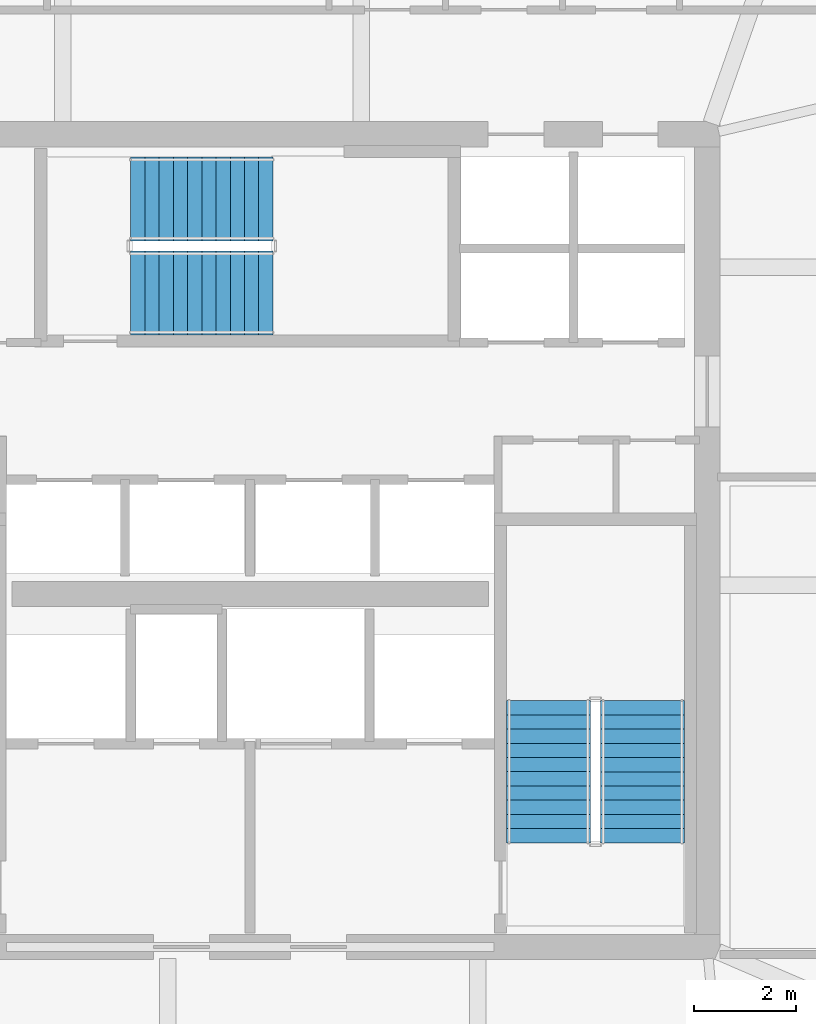
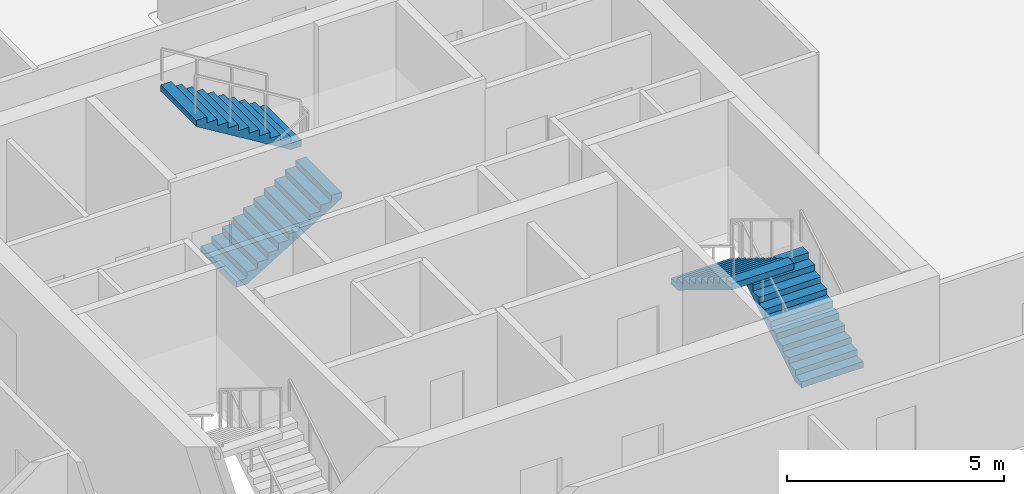
# One storey, part 24 of 29: 4 stair flights, 2 elements without a shape of their own.
"""IFC4 building model written with IfcOpenShell, lengths in metres."""

import ifcopenshell
import ifcopenshell.guid

model = None  # the IFC model being written
_history = None  # IfcOwnerHistory: only IFC2X3 demands one
_inside = {}  # id of a spatial element -> (the spatial element, [elements in it])
_under = {}  # id of a project, library or spatial element -> (it, [spatial elements below it])
_declared = {}  # id of a project -> (the project, [libraries it declares])
_typed = {}  # id of a type object -> (the type object, [elements of that type])
_made_of = {}  # id of a material, layer set ... -> (it, [elements and type objects made of it])


def new_model(schema):
    """Start an empty IFC model of exactly this schema.

    Asked for "IFC4X3", IfcOpenShell would pick the latest addendum, in which some entities
    have other attributes; the version numbers below select the first issue.
    IFC2X3 requires an IfcOwnerHistory on every rooted entity: one is made here for all.
    """
    global model, _history
    if schema == "IFC4X3":
        model = ifcopenshell.file(schema_version=(4, 3, 0, 0))
    else:
        model = ifcopenshell.file(schema=schema)
    _inside.clear()
    _under.clear()
    _declared.clear()
    _typed.clear()
    _made_of.clear()
    _history = None
    if model.schema == "IFC2X3":
        org = make("IfcOrganization", Name="unknown")
        user = make(
            "IfcPersonAndOrganization",
            ThePerson=make("IfcPerson", FamilyName="unknown"),
            TheOrganization=org,
        )
        app = make(
            "IfcApplication",
            ApplicationDeveloper=org,
            Version="unknown",
            ApplicationFullName="unknown",
            ApplicationIdentifier="unknown",
        )
        _history = make(
            "IfcOwnerHistory",
            OwningUser=user,
            OwningApplication=app,
            ChangeAction="ADDED",
            CreationDate=0,
        )
    return model


def make(cls, **values):
    """One entity of the class cls with the attributes given. An attribute that is None is left unset."""
    return model.create_entity(
        cls, **{name: value for name, value in values.items() if value is not None}
    )


def rooted(cls, **values):
    """An entity with a GlobalId (a new one), such as an element, a storey or a relation."""
    return make(cls, GlobalId=ifcopenshell.guid.new(), OwnerHistory=_history, **values)


def si_unit(unit_type, name, prefix=None):
    """IfcSIUnit, for example si_unit("LENGTHUNIT", "METRE", prefix="MILLI")."""
    return make("IfcSIUnit", UnitType=unit_type, Prefix=prefix, Name=name)


def assignment(units):
    """IfcUnitAssignment: the units of a project."""
    return None if units is None else make("IfcUnitAssignment", Units=units)


def point(xyz):
    """IfcCartesianPoint."""
    return None if xyz is None else make("IfcCartesianPoint", Coordinates=xyz)


def direction(xyz):
    """IfcDirection."""
    return None if xyz is None else make("IfcDirection", DirectionRatios=xyz)


def frame(location, z_axis=None, x_axis=None):
    """IfcAxis2Placement3D, a coordinate frame: its origin and axes. An axis left out is left unset."""
    return make(
        "IfcAxis2Placement3D",
        Location=point(location),
        Axis=direction(z_axis),
        RefDirection=direction(x_axis),
    )


def origin():
    """The frame at (0, 0, 0) with its axes left unset."""
    return frame((0.0, 0.0, 0.0))


def place(relative_to, where):
    """IfcLocalPlacement: puts the frame where relative to a parent placement (None: the world)."""
    return make(
        "IfcLocalPlacement", PlacementRelTo=relative_to, RelativePlacement=where
    )


def context(
    kind, dimensions, precision=None, world=None, true_north=None, identifier=None
):
    """IfcGeometricRepresentationContext, for example the 3D "Model" context."""
    return make(
        "IfcGeometricRepresentationContext",
        ContextIdentifier=identifier,
        ContextType=kind,
        CoordinateSpaceDimension=dimensions,
        Precision=precision,
        WorldCoordinateSystem=world,
        TrueNorth=true_north,
    )


def subcontext(parent, identifier, kind, view, scale=None):
    """IfcGeometricRepresentationSubContext, for example "Body" below "Model"."""
    return make(
        "IfcGeometricRepresentationSubContext",
        ContextIdentifier=identifier,
        ContextType=kind,
        ParentContext=parent,
        TargetScale=scale,
        TargetView=view,
    )


def project(units=None, contexts=None):
    """IfcProject with its units and contexts."""
    return rooted(
        "IfcProject",
        Name="project",
        RepresentationContexts=contexts,
        UnitsInContext=assignment(units),
    )


def spatial(cls, under=None, at=None, **own):
    """A site, building, storey or space (cls), placed at a placement, below another one or the project."""
    s = rooted(cls, ObjectPlacement=at, **own)
    if under is not None:
        _under.setdefault(under.id(), (under, []))[1].append(s)
    return s


def polyline(points):
    """IfcPolyline through the points."""
    return make("IfcPolyline", Points=[point(p) for p in points])


def outline(outer, holes=None, kind="AREA"):
    """IfcArbitraryClosedProfileDef: a profile drawn as a closed curve; with holes, ...WithVoids."""
    if holes is None:
        return make("IfcArbitraryClosedProfileDef", ProfileType=kind, OuterCurve=outer)
    return make(
        "IfcArbitraryProfileDefWithVoids",
        ProfileType=kind,
        OuterCurve=outer,
        InnerCurves=holes,
    )


def extrude(swept, where, along, depth):
    """IfcExtrudedAreaSolid: the profile swept, set in the frame where, extruded along a direction by depth."""
    return make(
        "IfcExtrudedAreaSolid",
        SweptArea=swept,
        Position=where,
        ExtrudedDirection=direction(along),
        Depth=depth,
    )


def shape(context_of_items, identifier, shape_type, items):
    """IfcShapeRepresentation: the items that make up one representation, for example the "Body"."""
    return make(
        "IfcShapeRepresentation",
        ContextOfItems=context_of_items,
        RepresentationIdentifier=identifier,
        RepresentationType=shape_type,
        Items=items,
    )


def material(Name=None, Category=None):
    """IfcMaterial."""
    return make("IfcMaterial", Name=Name, Category=Category)


def made_of(thing, what):
    """Note that an element or type object is made of a material, layer set ...; save() writes the relation."""
    if what is not None:
        _made_of.setdefault(what.id(), (what, []))[1].append(thing)
    return thing


def type_object(cls, material=None, **own):
    """A type object (cls), such as IfcWallType, which elements share."""
    return made_of(rooted(cls, **own), material)


def element(
    cls,
    number,
    at=None,
    inside=None,
    cuts=None,
    type_object=None,
    material=None,
    context=None,
    identifier="Body",
    shape_type=None,
    held_by="IfcProductDefinitionShape",
    body=None,
    shapes=None,
    **own,
):
    """One element of the class cls, such as IfcWall. Its Tag is "e" and its number.

    at: its placement. inside: the storey or other place that contains it. cuts: it is an
    opening in that element (IfcRelVoidsElement). A single representation is given by context,
    identifier, shape_type and body (its items); several are given by shapes. held_by: the class
    of the entity that holds the representations. save() writes the other relations.
    """
    e = rooted(cls, Tag="e%d" % number, ObjectPlacement=at, **own)
    if body is not None:
        shapes = [shape(context, identifier, shape_type, body)]
    if shapes is not None:
        e.Representation = make(held_by, Representations=shapes)
    if inside is not None:
        _inside.setdefault(inside.id(), (inside, []))[1].append(e)
    if cuts is not None:
        rooted(
            "IfcRelVoidsElement", RelatingBuildingElement=cuts, RelatedOpeningElement=e
        )
    if type_object is not None:
        _typed.setdefault(type_object.id(), (type_object, []))[1].append(e)
    return made_of(e, material)


def aggregate(whole, parts):
    """IfcRelAggregates: a whole, such as a stair, and the parts it consists of."""
    return rooted("IfcRelAggregates", RelatingObject=whole, RelatedObjects=parts)


def save(model, path):
    """Write the relations noted so far, then the file.

    IfcRelAggregates (storeys below a building ...), IfcRelContainedInSpatialStructure (elements
    in a storey), IfcRelDefinesByType, IfcRelAssociatesMaterial and IfcRelDeclares: one each for
    every whole, place, type object, material and project.
    """
    for whole, parts in _under.values():
        aggregate(whole, parts)
    for where, things in _inside.values():
        rooted(
            "IfcRelContainedInSpatialStructure",
            RelatedElements=things,
            RelatingStructure=where,
        )
    for kind, things in _typed.values():
        rooted("IfcRelDefinesByType", RelatedObjects=things, RelatingType=kind)
    for what, things in _made_of.values():
        rooted("IfcRelAssociatesMaterial", RelatedObjects=things, RelatingMaterial=what)
    for by, libraries in _declared.values():
        rooted("IfcRelDeclares", RelatingContext=by, RelatedDefinitions=libraries)
    model.write(path)


model = new_model("IFC4")

# Units and contexts
model_context = context("Model", 3, precision=1e-05, world=origin(), true_north=direction((0.0, 1.0)))
body_context = subcontext(model_context, "Body", "Model", "MODEL_VIEW")
ifc_project = project(units=[si_unit("LENGTHUNIT", "METRE"), si_unit("AREAUNIT", "SQUARE_METRE"), si_unit("VOLUMEUNIT", "CUBIC_METRE"), si_unit("PLANEANGLEUNIT", "RADIAN"), si_unit("MASSUNIT", "GRAM", prefix="KILO")], contexts=[model_context])

# Site, building, storey
site_placement = place(None, origin())
site = spatial("IfcSite", under=ifc_project, at=site_placement, CompositionType="ELEMENT")
building_placement = place(site_placement, origin())
building = spatial("IfcBuilding", under=site, at=building_placement, Name="Haldenkirk Collegiate Tower", CompositionType="ELEMENT")
storey_placement = place(building_placement, frame((0.0, 0.0, 228.449951171875)))
storey = spatial("IfcBuildingStorey", under=building, at=storey_placement, Name="L57", CompositionType="ELEMENT", Elevation=228.449951171875)

# Stair, stair flights
ifc_material = material(Name="Concrete f'c 40 MPa", Category="concrete")
stair_type = type_object("IfcStairType", Name="STR-DOGLEG-1650", PredefinedType="HALF_TURN_STAIR", material=ifc_material)
stair_1_placement = place(storey_placement, origin())
stair_1 = element("IfcStair", 1, at=stair_1_placement, inside=storey, type_object=stair_type, Name="L57 Core Exit Stair ST-2", PredefinedType="HALF_TURN_STAIR")
stair_flight_type = type_object("IfcStairFlightType", Name="STF-FLIGHT-1650", PredefinedType="STRAIGHT", material=ifc_material)
stair_flight_1_placement = place(storey_placement, frame((43.72509765625, 20.050048828125, 0.0), z_axis=(0.0, 0.0, 1.0), x_axis=(0.0, 1.0, 0.0)))
stair_flight_1 = element("IfcStairFlight", 2, at=stair_flight_1_placement, type_object=stair_flight_type, Name="ST-2 flight 1", NumberOfRisers=11, NumberOfTreads=10, PredefinedType="STRAIGHT", RiserHeight=0.170454545, TreadLength=0.28, context=body_context, shape_type="SweptSolid", body=[
    extrude(outline(polyline([(0.0, 0.0), (0.0, 0.17041015625), (0.280029296875, 0.17041015625), (0.280029296875, 0.3408203125), (0.56005859375, 0.3408203125), (0.56005859375, 0.511474609375), (0.840087890625, 0.511474609375), (0.840087890625, 0.681884765625), (1.1201171875, 0.681884765625), (1.1201171875, 0.852294921875), (1.39990234375, 0.852294921875), (1.39990234375, 1.022705078125), (1.679931640625, 1.022705078125), (1.679931640625, 1.193115234375), (1.9599609375, 1.193115234375), (1.9599609375, 1.363525390625), (2.239990234375, 1.363525390625), (2.239990234375, 1.5341796875), (2.52001953125, 1.5341796875), (2.52001953125, 1.70458984375), (2.800048828125, 1.70458984375), (2.800048828125, 1.875), (2.800048828125, 1.529052734375), (0.288330078125, 0.0), (0.0, 0.0)])), frame((0.0, 0.824951171875, 0.0), z_axis=(0.0, -1.0, 0.0), x_axis=(1.0, 0.0, 0.0)), (0.0, 0.0, 1.0), 1.64990234375),
])
stair_flight_2_placement = place(storey_placement, frame((41.875, 22.85009765625, 1.875), z_axis=(0.0, 0.0, 1.0), x_axis=(0.0, -1.0, 0.0)))
stair_flight_2 = element("IfcStairFlight", 3, at=stair_flight_2_placement, type_object=stair_flight_type, Name="ST-2 flight 2", NumberOfRisers=11, NumberOfTreads=10, PredefinedType="STRAIGHT", RiserHeight=0.170454545, TreadLength=0.28, context=body_context, shape_type="SweptSolid", body=[
    extrude(outline(polyline([(0.0, 0.0), (0.0, 0.17041015625), (0.280029296875, 0.17041015625), (0.280029296875, 0.3408203125), (0.56005859375, 0.3408203125), (0.56005859375, 0.511474609375), (0.840087890625, 0.511474609375), (0.840087890625, 0.681884765625), (1.1201171875, 0.681884765625), (1.1201171875, 0.852294921875), (1.39990234375, 0.852294921875), (1.39990234375, 1.022705078125), (1.679931640625, 1.022705078125), (1.679931640625, 1.193115234375), (1.9599609375, 1.193115234375), (1.9599609375, 1.363525390625), (2.239990234375, 1.363525390625), (2.239990234375, 1.5341796875), (2.52001953125, 1.5341796875), (2.52001953125, 1.70458984375), (2.800048828125, 1.70458984375), (2.800048828125, 1.875), (2.800048828125, 1.529052734375), (0.288330078125, 0.0), (0.0, 0.0)])), frame((0.0, 0.824951171875, 0.0), z_axis=(0.0, -1.0, 0.0), x_axis=(1.0, 0.0, 0.0)), (0.0, 0.0, 1.0), 1.64990234375),
])
aggregate(stair_1, [stair_flight_1, stair_flight_2])

stair_2_placement = place(storey_placement, origin())
stair_2 = element("IfcStair", 4, at=stair_2_placement, inside=storey, type_object=stair_type, Name="L57 Core Exit Stair ST-3", PredefinedType="HALF_TURN_STAIR")
stair_flight_3_placement = place(storey_placement, frame((33.64990234375, 30.875, 0.0), z_axis=(0.0, 0.0, 1.0), x_axis=(1.0, 0.0, 0.0)))
stair_flight_3 = element("IfcStairFlight", 5, at=stair_flight_3_placement, type_object=stair_flight_type, Name="ST-3 flight 1", NumberOfRisers=11, NumberOfTreads=10, PredefinedType="STRAIGHT", RiserHeight=0.170454545, TreadLength=0.28, context=body_context, shape_type="SweptSolid", body=[
    extrude(outline(polyline([(0.0, 0.0), (0.0, 0.17041015625), (0.280029296875, 0.17041015625), (0.280029296875, 0.3408203125), (0.56005859375, 0.3408203125), (0.56005859375, 0.511474609375), (0.840087890625, 0.511474609375), (0.840087890625, 0.681884765625), (1.1201171875, 0.681884765625), (1.1201171875, 0.852294921875), (1.39990234375, 0.852294921875), (1.39990234375, 1.022705078125), (1.679931640625, 1.022705078125), (1.679931640625, 1.193115234375), (1.9599609375, 1.193115234375), (1.9599609375, 1.363525390625), (2.239990234375, 1.363525390625), (2.239990234375, 1.5341796875), (2.52001953125, 1.5341796875), (2.52001953125, 1.70458984375), (2.800048828125, 1.70458984375), (2.800048828125, 1.875), (2.800048828125, 1.529052734375), (0.288330078125, 0.0), (0.0, 0.0)])), frame((0.0, 0.824951171875, 0.0), z_axis=(0.0, -1.0, 0.0), x_axis=(1.0, 0.0, 0.0)), (0.0, 0.0, 1.0), 1.64990234375),
])
stair_flight_4_placement = place(storey_placement, frame((36.449951171875, 32.72509765625, 1.875), z_axis=(0.0, 0.0, 1.0), x_axis=(-1.0, 0.0, 0.0)))
stair_flight_4 = element("IfcStairFlight", 6, at=stair_flight_4_placement, type_object=stair_flight_type, Name="ST-3 flight 2", NumberOfRisers=11, NumberOfTreads=10, PredefinedType="STRAIGHT", RiserHeight=0.170454545, TreadLength=0.28, context=body_context, shape_type="SweptSolid", body=[
    extrude(outline(polyline([(0.0, 0.0), (0.0, 0.17041015625), (0.280029296875, 0.17041015625), (0.280029296875, 0.3408203125), (0.56005859375, 0.3408203125), (0.56005859375, 0.511474609375), (0.840087890625, 0.511474609375), (0.840087890625, 0.681884765625), (1.1201171875, 0.681884765625), (1.1201171875, 0.852294921875), (1.39990234375, 0.852294921875), (1.39990234375, 1.022705078125), (1.679931640625, 1.022705078125), (1.679931640625, 1.193115234375), (1.9599609375, 1.193115234375), (1.9599609375, 1.363525390625), (2.239990234375, 1.363525390625), (2.239990234375, 1.5341796875), (2.52001953125, 1.5341796875), (2.52001953125, 1.70458984375), (2.800048828125, 1.70458984375), (2.800048828125, 1.875), (2.800048828125, 1.529052734375), (0.288330078125, 0.0), (0.0, 0.0)])), frame((0.0, 0.824951171875, 0.0), z_axis=(0.0, -1.0, 0.0), x_axis=(1.0, 0.0, 0.0)), (0.0, 0.0, 1.0), 1.64990234375),
])
aggregate(stair_2, [stair_flight_3, stair_flight_4])

save(model, "model.ifc")
